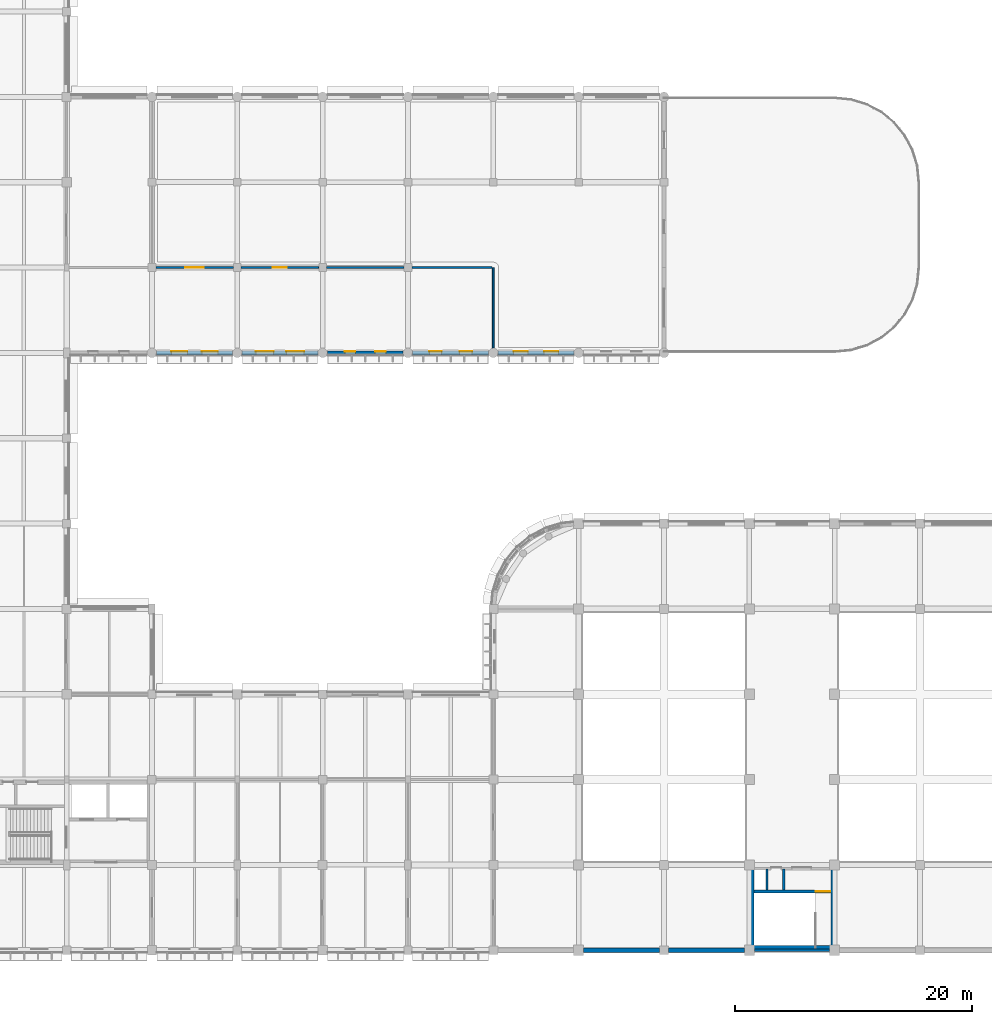
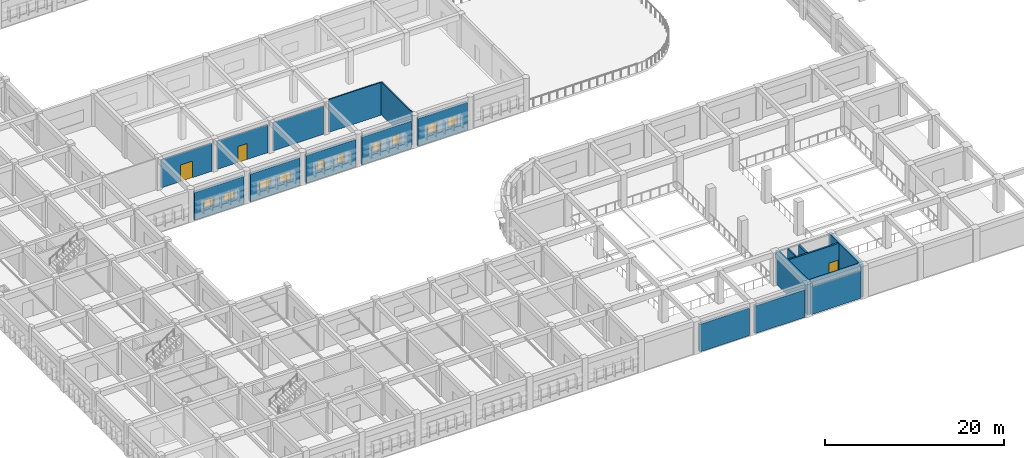
# One storey, part 39 of 61: 19 walls, 10 windows, 3 doors, 13 openings.
"""IFC4 building model written with IfcOpenShell, lengths in metres."""

from ifc_helpers import new_model, si_unit, direction, frame, frame_2d, origin, place, context, subcontext, project, spatial, rectangle, extrude, material, layer, layer_set, type_object, element, fill, save


model = new_model("IFC4")

# Units and contexts
model_context = context("Model", 3, precision=1e-05, world=origin(), true_north=direction((0.0, 1.0)))
body_context = subcontext(model_context, "Body", "Model", "MODEL_VIEW")
ifc_project = project(units=[si_unit("LENGTHUNIT", "METRE"), si_unit("AREAUNIT", "SQUARE_METRE"), si_unit("VOLUMEUNIT", "CUBIC_METRE"), si_unit("PLANEANGLEUNIT", "RADIAN"), si_unit("MASSUNIT", "GRAM", prefix="KILO")], contexts=[model_context])

# Site, building, storey
site_placement = place(None, origin())
site = spatial("IfcSite", under=ifc_project, at=site_placement, CompositionType="ELEMENT")
building_placement = place(site_placement, origin())
building = spatial("IfcBuilding", under=site, at=building_placement, Name="Thalmaran Polytechnic", CompositionType="ELEMENT")
storey_placement = place(building_placement, frame((0.0, 0.0, 9.89990234375)))
storey = spatial("IfcBuildingStorey", under=building, at=storey_placement, Name="L02", CompositionType="ELEMENT", Elevation=9.89990234375)

# Walls
ifc_material_1 = material(Name="Precast concrete C40/50", Category="concrete")
ifc_layer_1 = layer(ifc_material_1, 0.360107421875, Name="Precast concrete C40/50")
ifc_layer_set_1 = layer_set([ifc_layer_1], Name="Precast concrete C40/50")
wall_type_1 = type_object("IfcWallType", Name="WL-EW01", PredefinedType="STANDARD", material=ifc_layer_set_1)
for number, where, z_axis, x_axis, name in (
    (1, (78.77490234375, 0.0, 0.0), (0.0, 0.0, 1.0), (-1.0, 0.0, 0.0), "Exterior Precast Facade Wall L02-082"),
    (2, (71.625, 0.0, 0.0), (0.0, 0.0, 1.0), (-1.0, 0.0, 0.0), "Exterior Precast Facade Wall L02-083"),
):
    element("IfcWall", number, at=place(storey_placement, frame(where, z_axis=z_axis, x_axis=x_axis)), inside=storey, type_object=wall_type_1, Name=name, PredefinedType="STANDARD", context=body_context, shape_type="SweptSolid", body=[
        extrude(rectangle(XDim=6.39990234375, YDim=0.360107421875, at=frame_2d((3.199951171875, 0.0))), origin(), (0.0, 0.0, 1.0), 3.7451171875),
    ])

# Wall, openings, windows
wall_1_placement = place(storey_placement, frame((64.39990234375, 50.39990234375, 0.0), z_axis=(0.0, 0.0, 1.0), x_axis=(-1.0, 0.0, 0.0)))
wall_1 = element("IfcWall", 3, at=wall_1_placement, inside=storey, type_object=wall_type_1, Name="Exterior Precast Facade Wall L02-123", PredefinedType="STANDARD", context=body_context, shape_type="SweptSolid", body=[
    extrude(rectangle(XDim=6.39990234375, YDim=0.360107421875, at=frame_2d((3.199951171875, 0.0))), origin(), (0.0, 0.0, 1.0), 3.7451171875),
])
opening_1_placement = place(wall_1_placement, frame((1.320068359375, 0.0, 1.14990234375)))
opening_1 = element("IfcOpeningElement", 4, at=opening_1_placement, cuts=wall_1, Name="Opening PW11", PredefinedType="OPENING", context=body_context, shape_type="SweptSolid", body=[
    extrude(rectangle(XDim=1.199951171875, YDim=1.35009765625, at=frame_2d((0.60009765625, 0.675048828125))), frame((0.0, 0.18994140625, 0.0), z_axis=(0.0, -1.0, 0.0), x_axis=(1.0, 0.0, 0.0)), (0.0, 0.0, 1.0), 0.380126953125),
])
opening_2_placement = place(wall_1_placement, frame((3.8798828125, 0.0, 1.14990234375)))
opening_2 = element("IfcOpeningElement", 5, at=opening_2_placement, cuts=wall_1, Name="Opening PW11", PredefinedType="OPENING", context=body_context, shape_type="SweptSolid", body=[
    extrude(rectangle(XDim=1.199951171875, YDim=1.35009765625, at=frame_2d((0.60009765625, 0.675048828125))), frame((0.0, 0.18994140625, 0.0), z_axis=(0.0, -1.0, 0.0), x_axis=(1.0, 0.0, 0.0)), (0.0, 0.0, 1.0), 0.380126953125),
])
ifc_material_2 = material(Name="Thermally broken aluminium and double low-E glass", Category="aluminium")
window_type_1 = type_object("IfcWindowType", Name="WN-PW01", PartitioningType="SINGLE_PANEL", PredefinedType="WINDOW", material=ifc_material_2)
window_1_placement = place(opening_1_placement, origin())
window_1 = element("IfcWindow", 6, at=window_1_placement, inside=storey, type_object=window_type_1, Name="Deep-Set Solar-Screened Window W-0331", OverallHeight=1.35009765625, OverallWidth=1.199951171875, PartitioningType="SINGLE_PANEL", PredefinedType="WINDOW", context=body_context, shape_type="SweptSolid", body=[
    extrude(rectangle(XDim=1.199951171875, YDim=1.35009765625, at=frame_2d((0.60009765625, 0.675048828125))), frame((0.0, -0.080078125, 0.0), z_axis=(0.0, -1.0, 0.0), x_axis=(1.0, 0.0, 0.0)), (0.0, 0.0, 1.0), 0.06005859375),
])
fill(opening_1, window_1)
window_2_placement = place(opening_2_placement, origin())
window_2 = element("IfcWindow", 7, at=window_2_placement, inside=storey, type_object=window_type_1, Name="Deep-Set Solar-Screened Window W-0332", OverallHeight=1.35009765625, OverallWidth=1.199951171875, PartitioningType="SINGLE_PANEL", PredefinedType="WINDOW", context=body_context, shape_type="SweptSolid", body=[
    extrude(rectangle(XDim=1.199951171875, YDim=1.35009765625, at=frame_2d((0.60009765625, 0.675048828125))), frame((0.0, -0.080078125, 0.0), z_axis=(0.0, -1.0, 0.0), x_axis=(1.0, 0.0, 0.0)), (0.0, 0.0, 1.0), 0.06005859375),
])
fill(opening_2, window_2)

wall_2_placement = place(storey_placement, frame((57.199951171875, 50.39990234375, 0.0), z_axis=(0.0, 0.0, 1.0), x_axis=(-1.0, 0.0, 0.0)))
wall_2 = element("IfcWall", 8, at=wall_2_placement, inside=storey, type_object=wall_type_1, Name="Exterior Precast Facade Wall L02-124", PredefinedType="STANDARD", context=body_context, shape_type="SweptSolid", body=[
    extrude(rectangle(XDim=6.39990234375, YDim=0.360107421875, at=frame_2d((3.199951171875, 0.0))), origin(), (0.0, 0.0, 1.0), 3.7451171875),
])
opening_3_placement = place(wall_2_placement, frame((1.39501953125, 0.0, 1.14990234375)))
opening_3 = element("IfcOpeningElement", 9, at=opening_3_placement, cuts=wall_2, Name="Opening PW12", PredefinedType="OPENING", context=body_context, shape_type="SweptSolid", body=[
    extrude(rectangle(XDim=1.050048828125, YDim=1.35009765625, at=frame_2d((0.52490234375, 0.675048828125))), frame((0.0, 0.18994140625, 0.0), z_axis=(0.0, -1.0, 0.0), x_axis=(1.0, 0.0, 0.0)), (0.0, 0.0, 1.0), 0.380126953125),
])
opening_4_placement = place(wall_2_placement, frame((3.955078125, 0.0, 1.14990234375)))
opening_4 = element("IfcOpeningElement", 10, at=opening_4_placement, cuts=wall_2, Name="Opening PW12", PredefinedType="OPENING", context=body_context, shape_type="SweptSolid", body=[
    extrude(rectangle(XDim=1.050048828125, YDim=1.35009765625, at=frame_2d((0.52490234375, 0.675048828125))), frame((0.0, 0.18994140625, 0.0), z_axis=(0.0, -1.0, 0.0), x_axis=(1.0, 0.0, 0.0)), (0.0, 0.0, 1.0), 0.380126953125),
])
window_type_2 = type_object("IfcWindowType", Name="WN-PW02", PartitioningType="SINGLE_PANEL", PredefinedType="WINDOW", material=ifc_material_2)
window_3_placement = place(opening_3_placement, origin())
window_3 = element("IfcWindow", 11, at=window_3_placement, inside=storey, type_object=window_type_2, Name="Deep-Set Solar-Screened Window W-0333", OverallHeight=1.35009765625, OverallWidth=1.050048828125, PartitioningType="SINGLE_PANEL", PredefinedType="WINDOW", context=body_context, shape_type="SweptSolid", body=[
    extrude(rectangle(XDim=1.050048828125, YDim=1.35009765625, at=frame_2d((0.52490234375, 0.675048828125))), frame((0.0, -0.080078125, 0.0), z_axis=(0.0, -1.0, 0.0), x_axis=(1.0, 0.0, 0.0)), (0.0, 0.0, 1.0), 0.06005859375),
])
fill(opening_3, window_3)
window_4_placement = place(opening_4_placement, origin())
window_4 = element("IfcWindow", 12, at=window_4_placement, inside=storey, type_object=window_type_2, Name="Deep-Set Solar-Screened Window W-0334", OverallHeight=1.35009765625, OverallWidth=1.050048828125, PartitioningType="SINGLE_PANEL", PredefinedType="WINDOW", context=body_context, shape_type="SweptSolid", body=[
    extrude(rectangle(XDim=1.050048828125, YDim=1.35009765625, at=frame_2d((0.52490234375, 0.675048828125))), frame((0.0, -0.080078125, 0.0), z_axis=(0.0, -1.0, 0.0), x_axis=(1.0, 0.0, 0.0)), (0.0, 0.0, 1.0), 0.06005859375),
])
fill(opening_4, window_4)

wall_3_placement = place(storey_placement, frame((50.0, 50.39990234375, 0.0), z_axis=(0.0, 0.0, 1.0), x_axis=(-1.0, 0.0, 0.0)))
wall_3 = element("IfcWall", 13, at=wall_3_placement, inside=storey, type_object=wall_type_1, Name="Exterior Precast Facade Wall L02-125", PredefinedType="STANDARD", context=body_context, shape_type="SweptSolid", body=[
    extrude(rectangle(XDim=6.39990234375, YDim=0.360107421875, at=frame_2d((3.199951171875, 0.0))), origin(), (0.0, 0.0, 1.0), 3.7451171875),
])
opening_5_placement = place(wall_3_placement, frame((1.469970703125, 0.0, 1.14990234375)))
opening_5 = element("IfcOpeningElement", 14, at=opening_5_placement, cuts=wall_3, Name="Opening PW13", PredefinedType="OPENING", context=body_context, shape_type="SweptSolid", body=[
    extrude(rectangle(XDim=0.89990234375, YDim=1.300048828125, at=frame_2d((0.449951171875, 0.64990234375))), frame((0.0, 0.18994140625, 0.0), z_axis=(0.0, -1.0, 0.0), x_axis=(1.0, 0.0, 0.0)), (0.0, 0.0, 1.0), 0.380126953125),
])
opening_6_placement = place(wall_3_placement, frame((4.030029296875, 0.0, 1.14990234375)))
opening_6 = element("IfcOpeningElement", 15, at=opening_6_placement, cuts=wall_3, Name="Opening PW13", PredefinedType="OPENING", context=body_context, shape_type="SweptSolid", body=[
    extrude(rectangle(XDim=0.89990234375, YDim=1.300048828125, at=frame_2d((0.449951171875, 0.64990234375))), frame((0.0, 0.18994140625, 0.0), z_axis=(0.0, -1.0, 0.0), x_axis=(1.0, 0.0, 0.0)), (0.0, 0.0, 1.0), 0.380126953125),
])
window_type_3 = type_object("IfcWindowType", Name="WN-PW03", PartitioningType="SINGLE_PANEL", PredefinedType="WINDOW", material=ifc_material_2)
window_5_placement = place(opening_5_placement, origin())
window_5 = element("IfcWindow", 16, at=window_5_placement, inside=storey, type_object=window_type_3, Name="Deep-Set Solar-Screened Window W-0335", OverallHeight=1.300048828125, OverallWidth=0.89990234375, PartitioningType="SINGLE_PANEL", PredefinedType="WINDOW", context=body_context, shape_type="SweptSolid", body=[
    extrude(rectangle(XDim=0.89990234375, YDim=1.300048828125, at=frame_2d((0.449951171875, 0.64990234375))), frame((0.0, -0.080078125, 0.0), z_axis=(0.0, -1.0, 0.0), x_axis=(1.0, 0.0, 0.0)), (0.0, 0.0, 1.0), 0.06005859375),
])
fill(opening_5, window_5)
window_6_placement = place(opening_6_placement, origin())
window_6 = element("IfcWindow", 17, at=window_6_placement, inside=storey, type_object=window_type_3, Name="Deep-Set Solar-Screened Window W-0336", OverallHeight=1.300048828125, OverallWidth=0.89990234375, PartitioningType="SINGLE_PANEL", PredefinedType="WINDOW", context=body_context, shape_type="SweptSolid", body=[
    extrude(rectangle(XDim=0.89990234375, YDim=1.300048828125, at=frame_2d((0.449951171875, 0.64990234375))), frame((0.0, -0.080078125, 0.0), z_axis=(0.0, -1.0, 0.0), x_axis=(1.0, 0.0, 0.0)), (0.0, 0.0, 1.0), 0.06005859375),
])
fill(opening_6, window_6)

wall_4_placement = place(storey_placement, frame((42.800048828125, 50.39990234375, 0.0), z_axis=(0.0, 0.0, 1.0), x_axis=(-1.0, 0.0, 0.0)))
wall_4 = element("IfcWall", 18, at=wall_4_placement, inside=storey, type_object=wall_type_1, Name="Exterior Precast Facade Wall L02-126", PredefinedType="STANDARD", context=body_context, shape_type="SweptSolid", body=[
    extrude(rectangle(XDim=6.400146484375, YDim=0.360107421875, at=frame_2d((3.2001953125, 0.0))), origin(), (0.0, 0.0, 1.0), 3.7451171875),
])
opening_7_placement = place(wall_4_placement, frame((1.169921875, 0.0, 1.14990234375)))
opening_7 = element("IfcOpeningElement", 19, at=opening_7_placement, cuts=wall_4, Name="Opening PW14", PredefinedType="OPENING", context=body_context, shape_type="SweptSolid", body=[
    extrude(rectangle(XDim=1.5, YDim=1.199951171875, at=frame_2d((0.75, 0.60009765625))), frame((0.0, 0.18994140625, 0.0), z_axis=(0.0, -1.0, 0.0), x_axis=(1.0, 0.0, 0.0)), (0.0, 0.0, 1.0), 0.380126953125),
])
opening_8_placement = place(wall_4_placement, frame((3.72998046875, 0.0, 1.14990234375)))
opening_8 = element("IfcOpeningElement", 20, at=opening_8_placement, cuts=wall_4, Name="Opening PW14", PredefinedType="OPENING", context=body_context, shape_type="SweptSolid", body=[
    extrude(rectangle(XDim=1.5, YDim=1.199951171875, at=frame_2d((0.75, 0.60009765625))), frame((0.0, 0.18994140625, 0.0), z_axis=(0.0, -1.0, 0.0), x_axis=(1.0, 0.0, 0.0)), (0.0, 0.0, 1.0), 0.380126953125),
])
window_type_4 = type_object("IfcWindowType", Name="WN-PW04", PartitioningType="DOUBLE_PANEL_VERTICAL", PredefinedType="WINDOW", material=ifc_material_2)
window_7_placement = place(opening_7_placement, origin())
window_7 = element("IfcWindow", 21, at=window_7_placement, inside=storey, type_object=window_type_4, Name="Deep-Set Solar-Screened Window W-0337", OverallHeight=1.199951171875, OverallWidth=1.5, PartitioningType="SINGLE_PANEL", PredefinedType="WINDOW", context=body_context, shape_type="SweptSolid", body=[
    extrude(rectangle(XDim=1.5, YDim=1.199951171875, at=frame_2d((0.75, 0.60009765625))), frame((0.0, -0.080078125, 0.0), z_axis=(0.0, -1.0, 0.0), x_axis=(1.0, 0.0, 0.0)), (0.0, 0.0, 1.0), 0.06005859375),
])
fill(opening_7, window_7)
window_8_placement = place(opening_8_placement, origin())
window_8 = element("IfcWindow", 22, at=window_8_placement, inside=storey, type_object=window_type_4, Name="Deep-Set Solar-Screened Window W-0338", OverallHeight=1.199951171875, OverallWidth=1.5, PartitioningType="SINGLE_PANEL", PredefinedType="WINDOW", context=body_context, shape_type="SweptSolid", body=[
    extrude(rectangle(XDim=1.5, YDim=1.199951171875, at=frame_2d((0.75, 0.60009765625))), frame((0.0, -0.080078125, 0.0), z_axis=(0.0, -1.0, 0.0), x_axis=(1.0, 0.0, 0.0)), (0.0, 0.0, 1.0), 0.06005859375),
])
fill(opening_8, window_8)

wall_5_placement = place(storey_placement, frame((35.60009765625, 50.39990234375, 0.0), z_axis=(0.0, 0.0, 1.0), x_axis=(-1.0, 0.0, 0.0)))
wall_5 = element("IfcWall", 23, at=wall_5_placement, inside=storey, type_object=wall_type_1, Name="Exterior Precast Facade Wall L02-127", PredefinedType="STANDARD", context=body_context, shape_type="SweptSolid", body=[
    extrude(rectangle(XDim=6.400146484375, YDim=0.360107421875, at=frame_2d((3.2001953125, 0.0))), origin(), (0.0, 0.0, 1.0), 3.7451171875),
])
opening_9_placement = place(wall_5_placement, frame((1.2451171875, 0.0, 1.14990234375)))
opening_9 = element("IfcOpeningElement", 24, at=opening_9_placement, cuts=wall_5, Name="Opening PW15", PredefinedType="OPENING", context=body_context, shape_type="SweptSolid", body=[
    extrude(rectangle(XDim=1.35009765625, YDim=1.10009765625, at=frame_2d((0.675048828125, 0.550048828125))), frame((0.0, 0.18994140625, 0.0), z_axis=(0.0, -1.0, 0.0), x_axis=(1.0, 0.0, 0.0)), (0.0, 0.0, 1.0), 0.380126953125),
])
opening_10_placement = place(wall_5_placement, frame((3.804931640625, 0.0, 1.14990234375)))
opening_10 = element("IfcOpeningElement", 25, at=opening_10_placement, cuts=wall_5, Name="Opening PW15", PredefinedType="OPENING", context=body_context, shape_type="SweptSolid", body=[
    extrude(rectangle(XDim=1.35009765625, YDim=1.10009765625, at=frame_2d((0.675048828125, 0.550048828125))), frame((0.0, 0.18994140625, 0.0), z_axis=(0.0, -1.0, 0.0), x_axis=(1.0, 0.0, 0.0)), (0.0, 0.0, 1.0), 0.380126953125),
])
window_type_5 = type_object("IfcWindowType", Name="WN-PW05", PartitioningType="SINGLE_PANEL", PredefinedType="WINDOW", material=ifc_material_2)
window_9_placement = place(opening_9_placement, origin())
window_9 = element("IfcWindow", 26, at=window_9_placement, inside=storey, type_object=window_type_5, Name="Deep-Set Solar-Screened Window W-0339", OverallHeight=1.10009765625, OverallWidth=1.35009765625, PartitioningType="SINGLE_PANEL", PredefinedType="WINDOW", context=body_context, shape_type="SweptSolid", body=[
    extrude(rectangle(XDim=1.35009765625, YDim=1.10009765625, at=frame_2d((0.675048828125, 0.550048828125))), frame((0.0, -0.080078125, 0.0), z_axis=(0.0, -1.0, 0.0), x_axis=(1.0, 0.0, 0.0)), (0.0, 0.0, 1.0), 0.06005859375),
])
fill(opening_9, window_9)
window_10_placement = place(opening_10_placement, origin())
window_10 = element("IfcWindow", 27, at=window_10_placement, inside=storey, type_object=window_type_5, Name="Deep-Set Solar-Screened Window W-0340", OverallHeight=1.10009765625, OverallWidth=1.35009765625, PartitioningType="SINGLE_PANEL", PredefinedType="WINDOW", context=body_context, shape_type="SweptSolid", body=[
    extrude(rectangle(XDim=1.35009765625, YDim=1.10009765625, at=frame_2d((0.675048828125, 0.550048828125))), frame((0.0, -0.080078125, 0.0), z_axis=(0.0, -1.0, 0.0), x_axis=(1.0, 0.0, 0.0)), (0.0, 0.0, 1.0), 0.06005859375),
])
fill(opening_10, window_10)

# Walls
ifc_material_3 = material(Name="Translucent architectural glass block", Category="glass")
ifc_layer_2 = layer(ifc_material_3, 0.239990234375, Name="Translucent architectural glass block")
ifc_layer_set_2 = layer_set([ifc_layer_2], Name="Translucent architectural glass block")
wall_type_2 = type_object("IfcWallType", Name="WL-GB01", PredefinedType="STANDARD", material=ifc_layer_set_2)
wall_6_placement = place(storey_placement, frame((85.97509765625, 0.0, 0.0), z_axis=(0.0, 0.0, 1.0), x_axis=(-1.0, 0.0, 0.0)))
element("IfcWall", 28, at=wall_6_placement, inside=storey, type_object=wall_type_2, Name="Streamline Glass-Block Stair Strip L02-081", PredefinedType="STANDARD", context=body_context, shape_type="SweptSolid", body=[
    extrude(rectangle(XDim=6.35009765625, YDim=0.239990234375, at=frame_2d((3.175048828125, 0.0))), origin(), (0.0, 0.0, 1.0), 3.7451171875),
])
ifc_material_4 = material(Name="Autoclaved aerated masonry", Category="masonry")
ifc_layer_3 = layer(ifc_material_4, 0.22998046875, Name="Autoclaved aerated masonry")
ifc_layer_set_3 = layer_set([ifc_layer_3], Name="Autoclaved aerated masonry")
wall_type_3 = type_object("IfcWallType", Name="WL-IW02", PredefinedType="PARTITIONING", material=ifc_layer_set_3)
wall_7_placement = place(storey_placement, frame((82.10009765625, 5.10009765625, 0.0), z_axis=(0.0, 0.0, 1.0), x_axis=(0.0, 1.0, 0.0)))
element("IfcWall", 29, at=wall_7_placement, inside=storey, type_object=wall_type_3, Name="Core C7 Riser Partition L02", PredefinedType="PARTITIONING", context=body_context, shape_type="SweptSolid", body=[
    extrude(rectangle(XDim=1.739990234375, YDim=0.22998046875, at=frame_2d((0.8701171875, 0.0))), origin(), (0.0, 0.0, 1.0), 4.47998046875),
])
ifc_layer_4 = layer(ifc_material_4, 0.179931640625, Name="Autoclaved aerated masonry")
ifc_layer_set_4 = layer_set([ifc_layer_4], Name="Autoclaved aerated masonry")
wall_type_4 = type_object("IfcWallType", Name="WL-IW04", PredefinedType="PARTITIONING", material=ifc_layer_set_4)
wall_8_placement = place(storey_placement, frame((80.679931640625, 5.080078125, 0.0), z_axis=(0.0, 0.0, 1.0), x_axis=(0.0, 1.0, 0.0)))
element("IfcWall", 30, at=wall_8_placement, inside=storey, type_object=wall_type_4, Name="Core C7 Riser Shaft Enclosure Wall L02", PredefinedType="PARTITIONING", context=body_context, shape_type="SweptSolid", body=[
    extrude(rectangle(XDim=1.760009765625, YDim=0.179931640625, at=frame_2d((0.8798828125, 0.0))), origin(), (0.0, 0.0, 1.0), 4.47998046875),
])

# Wall, opening, door
ifc_material_5 = material(Name="Gypsum acoustic partition")
ifc_layer_5 = layer(ifc_material_5, 0.14501953125, Name="Gypsum acoustic partition")
ifc_layer_set_5 = layer_set([ifc_layer_5], Name="Gypsum acoustic partition")
wall_type_5 = type_object("IfcWallType", Name="WL-IW06", PredefinedType="PARTITIONING", material=ifc_layer_set_5)
wall_9_placement = place(storey_placement, frame((29.1298828125, 57.60009765625, 0.0), z_axis=(0.0, 0.0, 1.0), x_axis=(1.0, 0.0, 0.0)))
wall_9 = element("IfcWall", 31, at=wall_9_placement, inside=storey, type_object=wall_type_5, Name="Interior Partition IW06 L02-048", PredefinedType="PARTITIONING", context=body_context, shape_type="SweptSolid", body=[
    extrude(rectangle(XDim=6.5400390625, YDim=0.14501953125, at=frame_2d((3.27001953125, 0.0))), origin(), (0.0, 0.0, 1.0), 3.840087890625),
])
opening_11_placement = place(wall_9_placement, frame((2.489990234375, 0.0, 0.0)))
opening_11 = element("IfcOpeningElement", 32, at=opening_11_placement, cuts=wall_9, Name="Opening D-L02-001--SUL-1", PredefinedType="OPENING", context=body_context, shape_type="SweptSolid", body=[
    extrude(rectangle(XDim=1.56005859375, YDim=2.25, at=frame_2d((0.780029296875, 1.125))), frame((0.0, 0.08251953125, 0.0), z_axis=(0.0, -1.0, 0.0), x_axis=(1.0, 0.0, 0.0)), (0.0, 0.0, 1.0), 0.1650390625),
])
ifc_material_6 = material(Name="Acoustic hardwood and vision glass", Category="wood")
door_type_1 = type_object("IfcDoorType", Name="DR-ZD03", OperationType="NOTDEFINED", PredefinedType="DOOR", material=ifc_material_6)
door_1_placement = place(opening_11_placement, origin())
door_1 = element("IfcDoor", 33, at=door_1_placement, inside=storey, type_object=door_type_1, Name="Student Union Reading Lounge Door 1", OperationType="SINGLE_SWING_RIGHT", OverallHeight=2.25, OverallWidth=1.56005859375, PredefinedType="DOOR", context=body_context, shape_type="SweptSolid", body=[
    extrude(rectangle(XDim=1.56005859375, YDim=2.25, at=frame_2d((0.780029296875, 1.125))), frame((0.0, 0.02490234375, 0.0), z_axis=(0.0, -1.0, 0.0), x_axis=(1.0, 0.0, 0.0)), (0.0, 0.0, 1.0), 0.050048828125),
])
fill(opening_11, door_1)

wall_10_placement = place(storey_placement, frame((36.330078125, 57.60009765625, 0.0), z_axis=(0.0, 0.0, 1.0), x_axis=(1.0, 0.0, 0.0)))
wall_10 = element("IfcWall", 34, at=wall_10_placement, inside=storey, type_object=wall_type_5, Name="Interior Partition IW06 L02-054", PredefinedType="PARTITIONING", context=body_context, shape_type="SweptSolid", body=[
    extrude(rectangle(XDim=6.5400390625, YDim=0.14501953125, at=frame_2d((3.27001953125, 0.0))), origin(), (0.0, 0.0, 1.0), 3.85009765625),
])
opening_12_placement = place(wall_10_placement, frame((2.679931640625, 0.0, 0.0)))
opening_12 = element("IfcOpeningElement", 35, at=opening_12_placement, cuts=wall_10, Name="Opening D-L02-002--SUL-2", PredefinedType="OPENING", context=body_context, shape_type="SweptSolid", body=[
    extrude(rectangle(XDim=1.179931640625, YDim=2.179931640625, at=frame_2d((0.58984375, 1.08984375))), frame((0.0, 0.08251953125, 0.0), z_axis=(0.0, -1.0, 0.0), x_axis=(1.0, 0.0, 0.0)), (0.0, 0.0, 1.0), 0.1650390625),
])
ifc_material_7 = material(Name="Acoustic hardwood", Category="wood")
door_type_2 = type_object("IfcDoorType", Name="DR-ZD05", OperationType="NOTDEFINED", PredefinedType="DOOR", material=ifc_material_7)
door_2_placement = place(opening_12_placement, origin())
door_2 = element("IfcDoor", 36, at=door_2_placement, inside=storey, type_object=door_type_2, Name="Student Union Reading Lounge Door 2", OperationType="SINGLE_SWING_LEFT", OverallHeight=2.179931640625, OverallWidth=1.179931640625, PredefinedType="DOOR", context=body_context, shape_type="SweptSolid", body=[
    extrude(rectangle(XDim=1.179931640625, YDim=2.179931640625, at=frame_2d((0.58984375, 1.08984375))), frame((0.0, 0.02490234375, 0.0), z_axis=(0.0, -1.0, 0.0), x_axis=(1.0, 0.0, 0.0)), (0.0, 0.0, 1.0), 0.050048828125),
])
fill(opening_12, door_2)

# Walls
wall_11_placement = place(storey_placement, frame((43.530029296875, 57.60009765625, 0.0), z_axis=(0.0, 0.0, 1.0), x_axis=(1.0, 0.0, 0.0)))
element("IfcWall", 37, at=wall_11_placement, inside=storey, type_object=wall_type_5, Name="Interior Partition IW06 L02-061", PredefinedType="PARTITIONING", context=body_context, shape_type="SweptSolid", body=[
    extrude(rectangle(XDim=6.5400390625, YDim=0.14501953125, at=frame_2d((3.27001953125, 0.0))), origin(), (0.0, 0.0, 1.0), 3.860107421875),
])
wall_12_placement = place(storey_placement, frame((57.60009765625, 50.804931640625, 0.0), z_axis=(0.0, 0.0, 1.0), x_axis=(0.0, 1.0, 0.0)))
element("IfcWall", 38, at=wall_12_placement, inside=storey, type_object=wall_type_5, Name="Interior Partition IW06 L02-071", PredefinedType="PARTITIONING", context=body_context, shape_type="SweptSolid", body=[
    extrude(rectangle(XDim=6.795166015625, YDim=0.14501953125, at=frame_2d((3.3974609375, 0.0))), origin(), (0.0, 0.0, 1.0), 4.47998046875),
])
wall_13_placement = place(storey_placement, frame((50.72998046875, 57.60009765625, 0.0), z_axis=(0.0, 0.0, 1.0), x_axis=(1.0, 0.0, 0.0)))
element("IfcWall", 39, at=wall_13_placement, inside=storey, type_object=wall_type_5, Name="Interior Partition IW06 L02-072", PredefinedType="PARTITIONING", context=body_context, shape_type="SweptSolid", body=[
    extrude(rectangle(XDim=6.75, YDim=0.14501953125, at=frame_2d((3.375, 0.0))), origin(), (0.0, 0.0, 1.0), 4.47998046875),
])
ifc_material_8 = material(Name="Concrete C50/60", Category="concrete")
ifc_layer_6 = layer(ifc_material_8, 0.3798828125, Name="Concrete C50/60")
ifc_layer_set_6 = layer_set([ifc_layer_6], Name="Concrete C50/60")
wall_type_6 = type_object("IfcWallType", Name="WL-SW02", PredefinedType="SHEAR", material=ifc_layer_set_6)
wall_14_placement = place(storey_placement, frame((79.610107421875, 0.219970703125, 0.0), z_axis=(0.0, 0.0, 1.0), x_axis=(1.0, 0.0, 0.0)))
element("IfcWall", 40, at=wall_14_placement, inside=storey, type_object=wall_type_6, Name="Core C7 South Shear Wall L02", PredefinedType="SHEAR", context=body_context, shape_type="SweptSolid", body=[
    extrude(rectangle(XDim=6.4599609375, YDim=0.3798828125, at=frame_2d((3.22998046875, 0.0))), origin(), (0.0, 0.0, 1.0), 4.47998046875),
])
wall_15_placement = place(storey_placement, frame((79.419921875, 7.169921875, 0.0), z_axis=(0.0, 0.0, 1.0), x_axis=(0.0, -1.0, 0.0)))
element("IfcWall", 41, at=wall_15_placement, inside=storey, type_object=wall_type_6, Name="Core C7 West Shear Wall L02", PredefinedType="SHEAR", context=body_context, shape_type="SweptSolid", body=[
    extrude(rectangle(XDim=7.139892578125, YDim=0.3798828125, at=frame_2d((3.56982421875, 0.0))), origin(), (0.0, 0.0, 1.0), 4.47998046875),
])

# Wall, opening, door
wall_16_placement = place(storey_placement, frame((79.610107421875, 4.9599609375, 0.0), z_axis=(0.0, 0.0, 1.0), x_axis=(1.0, 0.0, 0.0)))
wall_16 = element("IfcWall", 42, at=wall_16_placement, inside=storey, type_object=wall_type_6, Name="Core C7 Stair Partition L02", PredefinedType="SHEAR", context=body_context, shape_type="SweptSolid", body=[
    extrude(rectangle(XDim=6.4599609375, YDim=0.219970703125, at=frame_2d((3.22998046875, 0.0))), origin(), (0.0, 0.0, 1.0), 4.47998046875),
])
opening_13_placement = place(wall_16_placement, frame((5.199951171875, 0.0, 0.0)))
opening_13 = element("IfcOpeningElement", 43, at=opening_13_placement, cuts=wall_16, Name="Opening SD-ST7-L02", PredefinedType="OPENING", context=body_context, shape_type="SweptSolid", body=[
    extrude(rectangle(XDim=1.199951171875, YDim=2.199951171875, at=frame_2d((0.60009765625, 1.10009765625))), frame((0.0, 0.119873046875, 0.0), z_axis=(0.0, -1.0, 0.0), x_axis=(1.0, 0.0, 0.0)), (0.0, 0.0, 1.0), 0.239990234375),
])
ifc_material_9 = material(Name="Powder-coated fire-rated steel", Category="steel")
door_type_3 = type_object("IfcDoorType", Name="DR-FD04", OperationType="NOTDEFINED", PredefinedType="DOOR", material=ifc_material_9)
door_3_placement = place(opening_13_placement, origin())
door_3 = element("IfcDoor", 44, at=door_3_placement, inside=storey, type_object=door_type_3, Name="Exit Stair Fire Door ST7 L02", OperationType="DOUBLE_DOOR_SINGLE_SWING", OverallHeight=2.199951171875, OverallWidth=1.199951171875, PredefinedType="DOOR", context=body_context, shape_type="SweptSolid", body=[
    extrude(rectangle(XDim=1.199951171875, YDim=2.199951171875, at=frame_2d((0.60009765625, 1.10009765625))), frame((0.0, 0.02490234375, 0.0), z_axis=(0.0, -1.0, 0.0), x_axis=(1.0, 0.0, 0.0)), (0.0, 0.0, 1.0), 0.050048828125),
])
fill(opening_13, door_3)

# Wall
wall_17_placement = place(storey_placement, frame((86.260009765625, 0.030029296875, 0.0), z_axis=(0.0, 0.0, 1.0), x_axis=(0.0, 1.0, 0.0)))
element("IfcWall", 45, at=wall_17_placement, inside=storey, type_object=wall_type_6, Name="Core C7 East Shear Wall L02", PredefinedType="SHEAR", context=body_context, shape_type="SweptSolid", body=[
    extrude(rectangle(XDim=7.139892578125, YDim=0.3798828125, at=frame_2d((3.56982421875, 0.0))), origin(), (0.0, 0.0, 1.0), 4.47998046875),
])

save(model, "model.ifc")
